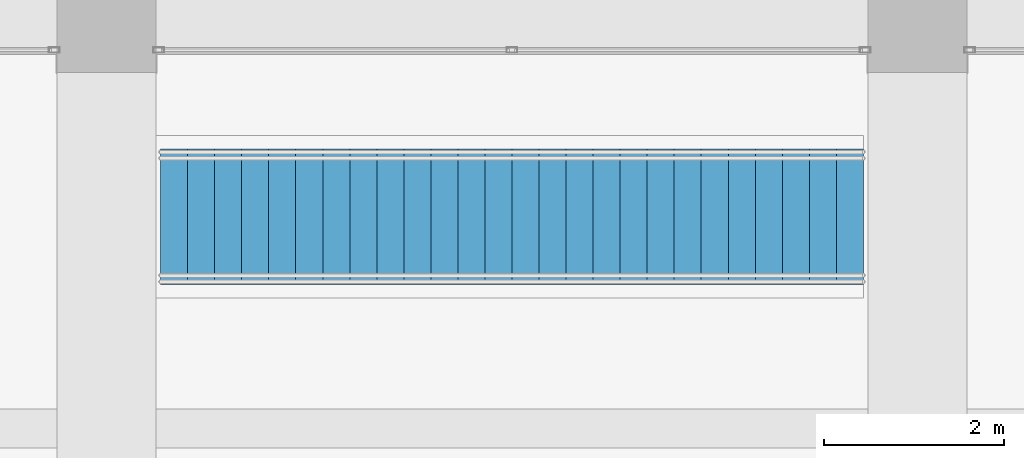
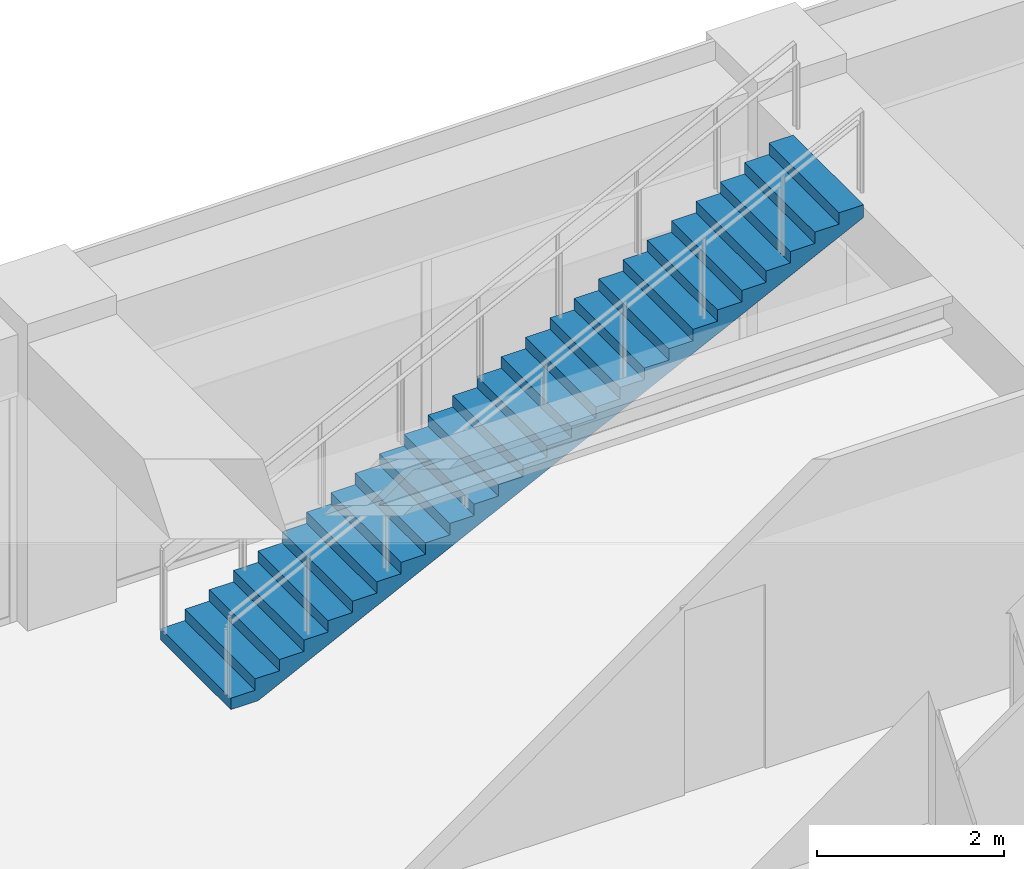
# One storey, part 44 of 45: 1 stair flight, 1 element without a shape of its own.
"""IFC4 building model written with IfcOpenShell, lengths in metres."""

import ifcopenshell
import ifcopenshell.guid

model = None  # the IFC model being written
_history = None  # IfcOwnerHistory: only IFC2X3 demands one
_inside = {}  # id of a spatial element -> (the spatial element, [elements in it])
_under = {}  # id of a project, library or spatial element -> (it, [spatial elements below it])
_declared = {}  # id of a project -> (the project, [libraries it declares])
_typed = {}  # id of a type object -> (the type object, [elements of that type])
_made_of = {}  # id of a material, layer set ... -> (it, [elements and type objects made of it])


def new_model(schema):
    """Start an empty IFC model of exactly this schema.

    Asked for "IFC4X3", IfcOpenShell would pick the latest addendum, in which some entities
    have other attributes; the version numbers below select the first issue.
    IFC2X3 requires an IfcOwnerHistory on every rooted entity: one is made here for all.
    """
    global model, _history
    if schema == "IFC4X3":
        model = ifcopenshell.file(schema_version=(4, 3, 0, 0))
    else:
        model = ifcopenshell.file(schema=schema)
    _inside.clear()
    _under.clear()
    _declared.clear()
    _typed.clear()
    _made_of.clear()
    _history = None
    if model.schema == "IFC2X3":
        org = make("IfcOrganization", Name="unknown")
        user = make(
            "IfcPersonAndOrganization",
            ThePerson=make("IfcPerson", FamilyName="unknown"),
            TheOrganization=org,
        )
        app = make(
            "IfcApplication",
            ApplicationDeveloper=org,
            Version="unknown",
            ApplicationFullName="unknown",
            ApplicationIdentifier="unknown",
        )
        _history = make(
            "IfcOwnerHistory",
            OwningUser=user,
            OwningApplication=app,
            ChangeAction="ADDED",
            CreationDate=0,
        )
    return model


def make(cls, **values):
    """One entity of the class cls with the attributes given. An attribute that is None is left unset."""
    return model.create_entity(
        cls, **{name: value for name, value in values.items() if value is not None}
    )


def rooted(cls, **values):
    """An entity with a GlobalId (a new one), such as an element, a storey or a relation."""
    return make(cls, GlobalId=ifcopenshell.guid.new(), OwnerHistory=_history, **values)


def si_unit(unit_type, name, prefix=None):
    """IfcSIUnit, for example si_unit("LENGTHUNIT", "METRE", prefix="MILLI")."""
    return make("IfcSIUnit", UnitType=unit_type, Prefix=prefix, Name=name)


def assignment(units):
    """IfcUnitAssignment: the units of a project."""
    return None if units is None else make("IfcUnitAssignment", Units=units)


def point(xyz):
    """IfcCartesianPoint."""
    return None if xyz is None else make("IfcCartesianPoint", Coordinates=xyz)


def direction(xyz):
    """IfcDirection."""
    return None if xyz is None else make("IfcDirection", DirectionRatios=xyz)


def frame(location, z_axis=None, x_axis=None):
    """IfcAxis2Placement3D, a coordinate frame: its origin and axes. An axis left out is left unset."""
    return make(
        "IfcAxis2Placement3D",
        Location=point(location),
        Axis=direction(z_axis),
        RefDirection=direction(x_axis),
    )


def origin():
    """The frame at (0, 0, 0) with its axes left unset."""
    return frame((0.0, 0.0, 0.0))


def place(relative_to, where):
    """IfcLocalPlacement: puts the frame where relative to a parent placement (None: the world)."""
    return make(
        "IfcLocalPlacement", PlacementRelTo=relative_to, RelativePlacement=where
    )


def context(
    kind, dimensions, precision=None, world=None, true_north=None, identifier=None
):
    """IfcGeometricRepresentationContext, for example the 3D "Model" context."""
    return make(
        "IfcGeometricRepresentationContext",
        ContextIdentifier=identifier,
        ContextType=kind,
        CoordinateSpaceDimension=dimensions,
        Precision=precision,
        WorldCoordinateSystem=world,
        TrueNorth=true_north,
    )


def subcontext(parent, identifier, kind, view, scale=None):
    """IfcGeometricRepresentationSubContext, for example "Body" below "Model"."""
    return make(
        "IfcGeometricRepresentationSubContext",
        ContextIdentifier=identifier,
        ContextType=kind,
        ParentContext=parent,
        TargetScale=scale,
        TargetView=view,
    )


def project(units=None, contexts=None):
    """IfcProject with its units and contexts."""
    return rooted(
        "IfcProject",
        Name="project",
        RepresentationContexts=contexts,
        UnitsInContext=assignment(units),
    )


def spatial(cls, under=None, at=None, **own):
    """A site, building, storey or space (cls), placed at a placement, below another one or the project."""
    s = rooted(cls, ObjectPlacement=at, **own)
    if under is not None:
        _under.setdefault(under.id(), (under, []))[1].append(s)
    return s


def polyline(points):
    """IfcPolyline through the points."""
    return make("IfcPolyline", Points=[point(p) for p in points])


def outline(outer, holes=None, kind="AREA"):
    """IfcArbitraryClosedProfileDef: a profile drawn as a closed curve; with holes, ...WithVoids."""
    if holes is None:
        return make("IfcArbitraryClosedProfileDef", ProfileType=kind, OuterCurve=outer)
    return make(
        "IfcArbitraryProfileDefWithVoids",
        ProfileType=kind,
        OuterCurve=outer,
        InnerCurves=holes,
    )


def extrude(swept, where, along, depth):
    """IfcExtrudedAreaSolid: the profile swept, set in the frame where, extruded along a direction by depth."""
    return make(
        "IfcExtrudedAreaSolid",
        SweptArea=swept,
        Position=where,
        ExtrudedDirection=direction(along),
        Depth=depth,
    )


def shape(context_of_items, identifier, shape_type, items):
    """IfcShapeRepresentation: the items that make up one representation, for example the "Body"."""
    return make(
        "IfcShapeRepresentation",
        ContextOfItems=context_of_items,
        RepresentationIdentifier=identifier,
        RepresentationType=shape_type,
        Items=items,
    )


def material(Name=None, Category=None):
    """IfcMaterial."""
    return make("IfcMaterial", Name=Name, Category=Category)


def constituent(of_material, Name=None, Category=None, fraction=None):
    """IfcMaterialConstituent: one of the materials an element consists of."""
    return make(
        "IfcMaterialConstituent",
        Name=Name,
        Material=of_material,
        Fraction=fraction,
        Category=Category,
    )


def constituent_set(constituents=None, Name=None):
    """IfcMaterialConstituentSet."""
    return make(
        "IfcMaterialConstituentSet", Name=Name, MaterialConstituents=constituents
    )


def made_of(thing, what):
    """Note that an element or type object is made of a material, layer set ...; save() writes the relation."""
    if what is not None:
        _made_of.setdefault(what.id(), (what, []))[1].append(thing)
    return thing


def type_object(cls, material=None, **own):
    """A type object (cls), such as IfcWallType, which elements share."""
    return made_of(rooted(cls, **own), material)


def element(
    cls,
    number,
    at=None,
    inside=None,
    cuts=None,
    type_object=None,
    material=None,
    context=None,
    identifier="Body",
    shape_type=None,
    held_by="IfcProductDefinitionShape",
    body=None,
    shapes=None,
    **own,
):
    """One element of the class cls, such as IfcWall. Its Tag is "e" and its number.

    at: its placement. inside: the storey or other place that contains it. cuts: it is an
    opening in that element (IfcRelVoidsElement). A single representation is given by context,
    identifier, shape_type and body (its items); several are given by shapes. held_by: the class
    of the entity that holds the representations. save() writes the other relations.
    """
    e = rooted(cls, Tag="e%d" % number, ObjectPlacement=at, **own)
    if body is not None:
        shapes = [shape(context, identifier, shape_type, body)]
    if shapes is not None:
        e.Representation = make(held_by, Representations=shapes)
    if inside is not None:
        _inside.setdefault(inside.id(), (inside, []))[1].append(e)
    if cuts is not None:
        rooted(
            "IfcRelVoidsElement", RelatingBuildingElement=cuts, RelatedOpeningElement=e
        )
    if type_object is not None:
        _typed.setdefault(type_object.id(), (type_object, []))[1].append(e)
    return made_of(e, material)


def aggregate(whole, parts):
    """IfcRelAggregates: a whole, such as a stair, and the parts it consists of."""
    return rooted("IfcRelAggregates", RelatingObject=whole, RelatedObjects=parts)


def save(model, path):
    """Write the relations noted so far, then the file.

    IfcRelAggregates (storeys below a building ...), IfcRelContainedInSpatialStructure (elements
    in a storey), IfcRelDefinesByType, IfcRelAssociatesMaterial and IfcRelDeclares: one each for
    every whole, place, type object, material and project.
    """
    for whole, parts in _under.values():
        aggregate(whole, parts)
    for where, things in _inside.values():
        rooted(
            "IfcRelContainedInSpatialStructure",
            RelatedElements=things,
            RelatingStructure=where,
        )
    for kind, things in _typed.values():
        rooted("IfcRelDefinesByType", RelatedObjects=things, RelatingType=kind)
    for what, things in _made_of.values():
        rooted("IfcRelAssociatesMaterial", RelatedObjects=things, RelatingMaterial=what)
    for by, libraries in _declared.values():
        rooted("IfcRelDeclares", RelatingContext=by, RelatedDefinitions=libraries)
    model.write(path)


model = new_model("IFC4")

# Units and contexts
model_context = context("Model", 3, precision=1e-05, world=origin(), true_north=direction((0.0, 1.0)))
body_context = subcontext(model_context, "Body", "Model", "MODEL_VIEW")
ifc_project = project(units=[si_unit("LENGTHUNIT", "METRE"), si_unit("AREAUNIT", "SQUARE_METRE"), si_unit("VOLUMEUNIT", "CUBIC_METRE"), si_unit("PLANEANGLEUNIT", "RADIAN"), si_unit("MASSUNIT", "GRAM", prefix="KILO")], contexts=[model_context])

# Site, building, storey
site_placement = place(None, origin())
site = spatial("IfcSite", under=ifc_project, at=site_placement, CompositionType="ELEMENT")
building_placement = place(site_placement, origin())
building = spatial("IfcBuilding", under=site, at=building_placement, Name="Zorevar Civic Tower", CompositionType="ELEMENT")
storey_placement = place(building_placement, frame((0.0, 0.0, 291.39990234375)))
storey = spatial("IfcBuildingStorey", under=building, at=storey_placement, Name="L71", CompositionType="ELEMENT", Elevation=291.39990234375)

# Stair, stair flight
ifc_material_1 = material(Name="Steel S355", Category="steel")
ifc_constituent_1 = constituent(ifc_material_1, Name="Structure")
ifc_material_2 = material(Name="Stone treads", Category="masonry")
ifc_constituent_2 = constituent(ifc_material_2, Name="Finish")
ifc_constituent_set_1 = constituent_set(constituents=[ifc_constituent_1, ifc_constituent_2], Name="Steel S355")
stair_type = type_object("IfcStairType", Name="Interconnecting stair IS1", PredefinedType="STRAIGHT_RUN_STAIR", material=ifc_constituent_set_1)
stair_placement = place(storey_placement, origin())
stair = element("IfcStair", 1, at=stair_placement, inside=storey, type_object=stair_type, Name="Interconnecting stair IS1 L71 to L72", PredefinedType="STRAIGHT_RUN_STAIR")
ifc_material_3 = material(Name="Steel S355", Category="steel")
ifc_constituent_3 = constituent(ifc_material_3, Name="Structure")
ifc_material_4 = material(Name="Stone treads", Category="masonry")
ifc_constituent_4 = constituent(ifc_material_4, Name="Finish")
ifc_constituent_set_2 = constituent_set(constituents=[ifc_constituent_3, ifc_constituent_4], Name="Steel S355")
stair_flight_type = type_object("IfcStairFlightType", Name="Interconnecting stair flight", PredefinedType="STRAIGHT", material=ifc_constituent_set_2)
stair_flight_placement = place(storey_placement, frame((27.60009765625, 42.85009765625, 0.0), z_axis=(0.0, 0.0, 1.0), x_axis=(1.0, 0.0, 0.0)))
stair_flight = element("IfcStairFlight", 2, at=stair_flight_placement, type_object=stair_flight_type, Name="IS1 flight 1", NumberOfRisers=27, NumberOfTreads=26, PredefinedType="STRAIGHT", RiserHeight=0.148148148, TreadLength=0.3, context=body_context, shape_type="SweptSolid", body=[
    extrude(outline(polyline([(0.0, 0.0), (0.0, 0.148193359375), (0.300048828125, 0.148193359375), (0.300048828125, 0.29638671875), (0.60009765625, 0.29638671875), (0.60009765625, 0.4443359375), (0.89990234375, 0.4443359375), (0.89990234375, 0.592529296875), (1.199951171875, 0.592529296875), (1.199951171875, 0.74072265625), (1.5, 0.74072265625), (1.5, 0.888916015625), (1.800048828125, 0.888916015625), (1.800048828125, 1.037109375), (2.10009765625, 1.037109375), (2.10009765625, 1.185302734375), (2.39990234375, 1.185302734375), (2.39990234375, 1.333251953125), (2.699951171875, 1.333251953125), (2.699951171875, 1.4814453125), (3.0, 1.4814453125), (3.0, 1.629638671875), (3.300048828125, 1.629638671875), (3.300048828125, 1.77783203125), (3.60009765625, 1.77783203125), (3.60009765625, 1.926025390625), (3.89990234375, 1.926025390625), (3.89990234375, 2.073974609375), (4.199951171875, 2.073974609375), (4.199951171875, 2.22216796875), (4.5, 2.22216796875), (4.5, 2.370361328125), (4.800048828125, 2.370361328125), (4.800048828125, 2.5185546875), (5.10009765625, 2.5185546875), (5.10009765625, 2.666748046875), (5.39990234375, 2.666748046875), (5.39990234375, 2.814697265625), (5.699951171875, 2.814697265625), (5.699951171875, 2.962890625), (6.0, 2.962890625), (6.0, 3.111083984375), (6.300048828125, 3.111083984375), (6.300048828125, 3.25927734375), (6.60009765625, 3.25927734375), (6.60009765625, 3.407470703125), (6.89990234375, 3.407470703125), (6.89990234375, 3.5556640625), (7.199951171875, 3.5556640625), (7.199951171875, 3.70361328125), (7.5, 3.70361328125), (7.5, 3.851806640625), (7.800048828125, 3.851806640625), (7.800048828125, 4.0), (7.800048828125, 3.6845703125), (0.338623046875, 0.0), (0.0, 0.0)])), frame((0.0, 0.75, 0.0), z_axis=(0.0, -1.0, 0.0), x_axis=(1.0, 0.0, 0.0)), (0.0, 0.0, 1.0), 1.5),
])
aggregate(stair, [stair_flight])

save(model, "model.ifc")
